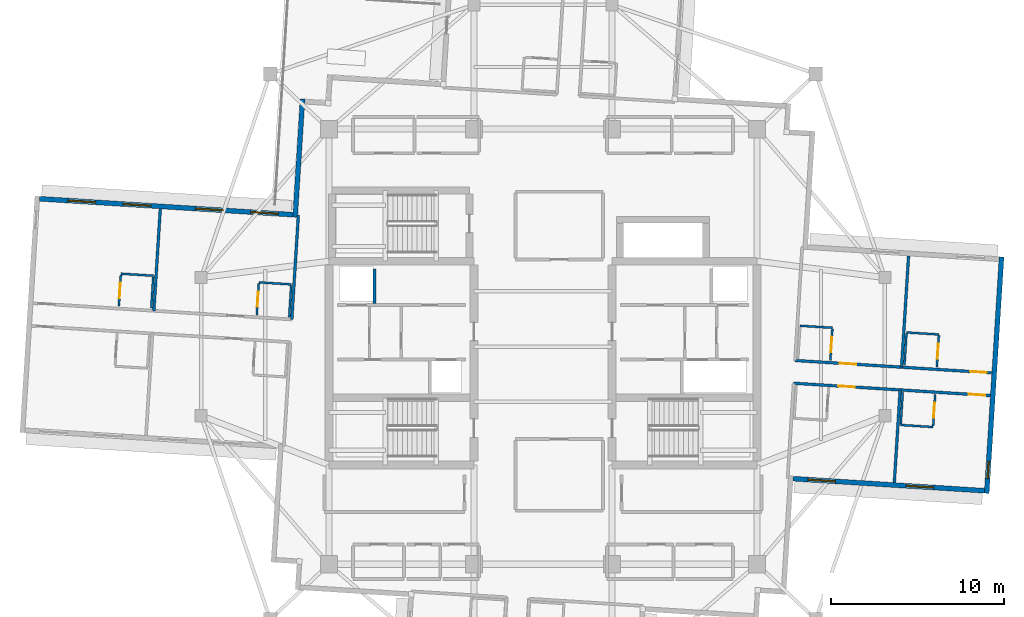
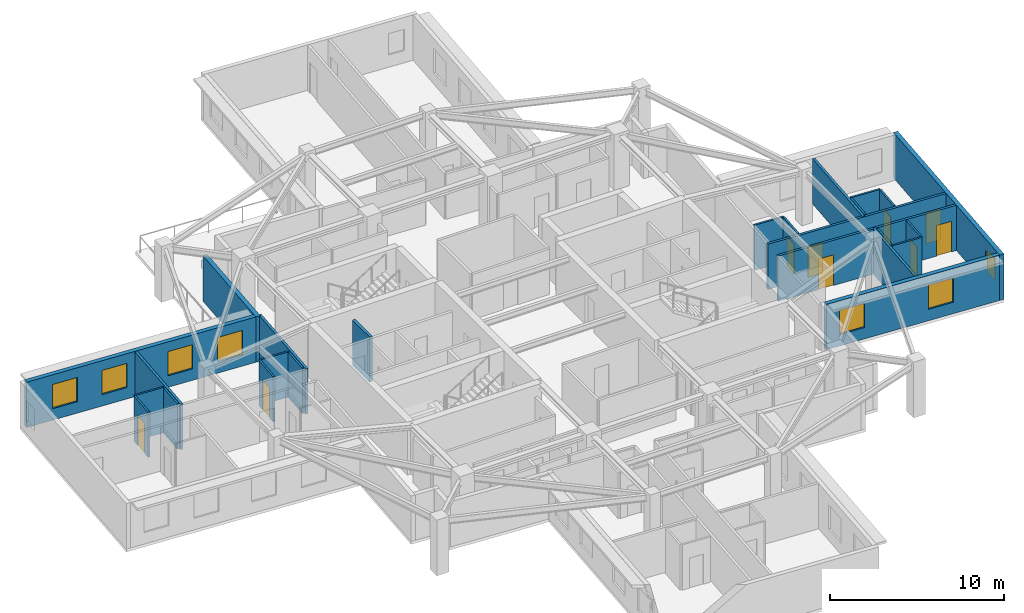
# One storey, part 6 of 12: 25 walls, 9 doors, 7 windows, 16 openings.
"""IFC4 building model written with IfcOpenShell, lengths in metres."""

from ifc_helpers import new_model, si_unit, direction, frame, frame_2d, origin, place, context, subcontext, project, spatial, rectangle, extrude, material, layer, layer_set, type_object, element, fill, save


model = new_model("IFC4")

# Units and contexts
model_context = context("Model", 3, precision=1e-05, world=origin(), true_north=direction((0.0, 1.0)))
body_context = subcontext(model_context, "Body", "Model", "MODEL_VIEW")
ifc_project = project(units=[si_unit("LENGTHUNIT", "METRE"), si_unit("AREAUNIT", "SQUARE_METRE"), si_unit("VOLUMEUNIT", "CUBIC_METRE"), si_unit("PLANEANGLEUNIT", "RADIAN"), si_unit("MASSUNIT", "GRAM", prefix="KILO")], contexts=[model_context])

# Site, building, storey
site_placement = place(None, origin())
site = spatial("IfcSite", under=ifc_project, at=site_placement, CompositionType="ELEMENT")
building_placement = place(site_placement, origin())
building = spatial("IfcBuilding", under=site, at=building_placement, Name="Qingluan Cross Belvedere", CompositionType="ELEMENT")
storey_placement = place(building_placement, frame((0.0, 0.0, 249.89990234375)))
storey = spatial("IfcBuildingStorey", under=building, at=storey_placement, Name="L62", CompositionType="ELEMENT", Elevation=249.89990234375)

# Wall, openings, doors
ifc_material_1 = material(Name="Gypsum plasterboard on steel stud acoustic partition", Category="steel")
ifc_layer_1 = layer(ifc_material_1, 0.159912109375, Name="CorridorPartition_160")
ifc_layer_set_1 = layer_set([ifc_layer_1], Name="Gypsum plasterboard on steel stud acoustic partition")
wall_type_1 = type_object("IfcWallType", Name="CorridorPartition_160", PredefinedType="PARTITIONING", material=ifc_layer_set_1)
wall_1_placement = place(storey_placement, frame((14.5986328125, -0.798095703125, 0.0), z_axis=(0.0, 0.0, 1.0), x_axis=(0.998025515052, -0.062809802628, 0.0)))
wall_1 = element("IfcWall", 1, at=wall_1_placement, inside=storey, type_object=wall_type_1, Name="Partition L62:E:c0", PredefinedType="PARTITIONING", context=body_context, shape_type="SweptSolid", body=[
    extrude(rectangle(XDim=11.412109375, YDim=0.159912109375, at=frame_2d((5.7060546875, 0.0))), origin(), (0.0, 0.0, 1.0), 3.170166015625),
])
opening_1_placement = place(wall_1_placement, frame((2.597900390625, 0.0, 0.0)))
opening_1 = element("IfcOpeningElement", 2, at=opening_1_placement, cuts=wall_1, Name="Opening GD-10", PredefinedType="OPENING", context=body_context, shape_type="SweptSolid", body=[
    extrude(rectangle(XDim=0.9599609375, YDim=2.14990234375, at=frame_2d((0.47998046875, 1.074951171875))), frame((0.0, 0.08984375, 0.0), z_axis=(0.0, -1.0, 0.0), x_axis=(1.0, 0.0, 0.0)), (0.0, 0.0, 1.0), 0.179931640625),
])
opening_2_placement = place(wall_1_placement, frame((10.159912109375, 0.0, 0.0)))
opening_2 = element("IfcOpeningElement", 3, at=opening_2_placement, cuts=wall_1, Name="Opening GD-10", PredefinedType="OPENING", context=body_context, shape_type="SweptSolid", body=[
    extrude(rectangle(XDim=0.9599609375, YDim=2.14990234375, at=frame_2d((0.47998046875, 1.074951171875))), frame((0.0, 0.08984375, 0.0), z_axis=(0.0, -1.0, 0.0), x_axis=(1.0, 0.0, 0.0)), (0.0, 0.0, 1.0), 0.179931640625),
])
ifc_material_2 = material(Name="Timber oak fire-rated acoustic guestroom door", Category="wood")
door_type_1 = type_object("IfcDoorType", Name="GuestEntryDoor_FD60", OperationType="NOTDEFINED", PredefinedType="DOOR", material=ifc_material_2)
door_1_placement = place(opening_1_placement, origin())
door_1 = element("IfcDoor", 4, at=door_1_placement, inside=storey, type_object=door_type_1, Name="Guest entry fire door 6201", OperationType="SINGLE_SWING_LEFT", OverallHeight=2.14990234375, OverallWidth=0.9599609375, PredefinedType="DOOR", context=body_context, shape_type="SweptSolid", body=[
    extrude(rectangle(XDim=0.9599609375, YDim=2.14990234375, at=frame_2d((0.47998046875, 1.074951171875))), frame((0.0, 0.02490234375, 0.0), z_axis=(0.0, -1.0, 0.0), x_axis=(1.0, 0.0, 0.0)), (0.0, 0.0, 1.0), 0.050048828125),
])
fill(opening_1, door_1)
door_2_placement = place(opening_2_placement, origin())
door_2 = element("IfcDoor", 5, at=door_2_placement, inside=storey, type_object=door_type_1, Name="Guest entry fire door 6202", OperationType="SINGLE_SWING_LEFT", OverallHeight=2.14990234375, OverallWidth=0.9599609375, PredefinedType="DOOR", context=body_context, shape_type="SweptSolid", body=[
    extrude(rectangle(XDim=0.9599609375, YDim=2.14990234375, at=frame_2d((0.47998046875, 1.074951171875))), frame((0.0, 0.02490234375, 0.0), z_axis=(0.0, -1.0, 0.0), x_axis=(1.0, 0.0, 0.0)), (0.0, 0.0, 1.0), 0.050048828125),
])
fill(opening_2, door_2)

# Wall
wall_2_placement = place(storey_placement, frame((20.7666015625, -1.186279296875, 0.0), z_axis=(0.0, 0.0, 1.0), x_axis=(0.062776410047, 0.998027616022, 0.0)))
element("IfcWall", 6, at=wall_2_placement, inside=storey, type_object=wall_type_1, Name="Partition L62:E:d0_0", PredefinedType="PARTITIONING", context=body_context, shape_type="SweptSolid", body=[
    extrude(rectangle(XDim=6.451904296875, YDim=0.159912109375, at=frame_2d((3.22607421875, 0.0))), origin(), (0.0, 0.0, 1.0), 3.170166015625),
])

# Wall, openings, doors
wall_3_placement = place(storey_placement, frame((14.515869140625, -2.115478515625, 0.0), z_axis=(0.0, 0.0, 1.0), x_axis=(0.998025430652, -0.062811143692, 0.0)))
wall_3 = element("IfcWall", 7, at=wall_3_placement, inside=storey, type_object=wall_type_1, Name="Partition L62:E:c1", PredefinedType="PARTITIONING", context=body_context, shape_type="SweptSolid", body=[
    extrude(rectangle(XDim=11.411865234375, YDim=0.159912109375, at=frame_2d((5.7060546875, 0.0))), origin(), (0.0, 0.0, 1.0), 3.170166015625),
])
opening_3_placement = place(wall_3_placement, frame((2.597900390625, 0.0, 0.0)))
opening_3 = element("IfcOpeningElement", 8, at=opening_3_placement, cuts=wall_3, Name="Opening GD-10", PredefinedType="OPENING", context=body_context, shape_type="SweptSolid", body=[
    extrude(rectangle(XDim=0.9599609375, YDim=2.14990234375, at=frame_2d((0.47998046875, 1.074951171875))), frame((0.0, 0.08984375, 0.0), z_axis=(0.0, -1.0, 0.0), x_axis=(1.0, 0.0, 0.0)), (0.0, 0.0, 1.0), 0.179931640625),
])
opening_4_placement = place(wall_3_placement, frame((10.159912109375, 0.0, 0.0)))
opening_4 = element("IfcOpeningElement", 9, at=opening_4_placement, cuts=wall_3, Name="Opening GD-10", PredefinedType="OPENING", context=body_context, shape_type="SweptSolid", body=[
    extrude(rectangle(XDim=0.9599609375, YDim=2.14990234375, at=frame_2d((0.47998046875, 1.074951171875))), frame((0.0, 0.08984375, 0.0), z_axis=(0.0, -1.0, 0.0), x_axis=(1.0, 0.0, 0.0)), (0.0, 0.0, 1.0), 0.179931640625),
])
door_3_placement = place(opening_3_placement, origin())
door_3 = element("IfcDoor", 10, at=door_3_placement, inside=storey, type_object=door_type_1, Name="Guest entry fire door 6203", OperationType="SINGLE_SWING_LEFT", OverallHeight=2.14990234375, OverallWidth=0.9599609375, PredefinedType="DOOR", context=body_context, shape_type="SweptSolid", body=[
    extrude(rectangle(XDim=0.9599609375, YDim=2.14990234375, at=frame_2d((0.47998046875, 1.074951171875))), frame((0.0, 0.02490234375, 0.0), z_axis=(0.0, -1.0, 0.0), x_axis=(1.0, 0.0, 0.0)), (0.0, 0.0, 1.0), 0.050048828125),
])
fill(opening_3, door_3)
door_4_placement = place(opening_4_placement, origin())
door_4 = element("IfcDoor", 11, at=door_4_placement, inside=storey, type_object=door_type_1, Name="Guest entry fire door 6204", OperationType="SINGLE_SWING_LEFT", OverallHeight=2.14990234375, OverallWidth=0.9599609375, PredefinedType="DOOR", context=body_context, shape_type="SweptSolid", body=[
    extrude(rectangle(XDim=0.9599609375, YDim=2.14990234375, at=frame_2d((0.47998046875, 1.074951171875))), frame((0.0, 0.02490234375, 0.0), z_axis=(0.0, -1.0, 0.0), x_axis=(1.0, 0.0, 0.0)), (0.0, 0.0, 1.0), 0.050048828125),
])
fill(opening_4, door_4)

# Walls
wall_4_placement = place(storey_placement, frame((20.68359375, -2.503662109375, 0.0), z_axis=(0.0, 0.0, 1.0), x_axis=(-0.062808351004, -0.998025606407, 0.0)))
element("IfcWall", 12, at=wall_4_placement, inside=storey, type_object=wall_type_1, Name="Partition L62:E:d1_0", PredefinedType="PARTITIONING", context=body_context, shape_type="SweptSolid", body=[
    extrude(rectangle(XDim=5.371826171875, YDim=0.159912109375, at=frame_2d((2.68603515625, 0.0))), origin(), (0.0, 0.0, 1.0), 3.170166015625),
])
wall_5_placement = place(storey_placement, frame((-14.5498046875, 1.57666015625, 0.0), z_axis=(0.0, 0.0, 1.0), x_axis=(0.062807170557, 0.998025680695, 0.0)))
element("IfcWall", 13, at=wall_5_placement, inside=storey, type_object=wall_type_1, Name="Partition L62:W:s0", PredefinedType="PARTITIONING", context=body_context, shape_type="SweptSolid", body=[
    extrude(rectangle(XDim=6.06005859375, YDim=0.159912109375, at=frame_2d((3.030029296875, 0.0))), origin(), (0.0, 0.0, 1.0), 3.170166015625),
])
wall_6_placement = place(storey_placement, frame((-22.537841796875, 2.079345703125, 0.0), z_axis=(0.0, 0.0, 1.0), x_axis=(0.062771648594, 0.998027915508, 0.0)))
element("IfcWall", 14, at=wall_6_placement, inside=storey, type_object=wall_type_1, Name="Partition L62:W:d0_0", PredefinedType="PARTITIONING", context=body_context, shape_type="SweptSolid", body=[
    extrude(rectangle(XDim=5.911865234375, YDim=0.159912109375, at=frame_2d((2.9560546875, 0.0))), origin(), (0.0, 0.0, 1.0), 3.170166015625),
])

# Wall, opening, door
ifc_material_3 = material(Name="Moisture-resistant gypsum board lining")
ifc_layer_2 = layer(ifc_material_3, 0.1201171875, Name="EnsuiteWetPartition_120")
ifc_layer_set_2 = layer_set([ifc_layer_2], Name="Moisture-resistant gypsum board lining")
wall_type_2 = type_object("IfcWallType", Name="EnsuiteWetPartition_120", PredefinedType="PARTITIONING", material=ifc_layer_set_2)
wall_7_placement = place(storey_placement, frame((16.6435546875, -0.78662109375, 0.0), z_axis=(0.0, 0.0, 1.0), x_axis=(0.062779145668, 0.998027443946, 0.0)))
wall_7 = element("IfcWall", 15, at=wall_7_placement, inside=storey, type_object=wall_type_2, Name="Partition L62:E:bs0_0", PredefinedType="PARTITIONING", context=body_context, shape_type="SweptSolid", body=[
    extrude(rectangle(XDim=1.820068359375, YDim=0.1201171875, at=frame_2d((0.91015625, 0.0))), origin(), (0.0, 0.0, 1.0), 3.170166015625),
])
opening_5_placement = place(wall_7_placement, frame((0.469970703125, 0.0, 0.0)))
opening_5 = element("IfcOpeningElement", 16, at=opening_5_placement, cuts=wall_7, Name="Opening BD-09", PredefinedType="OPENING", context=body_context, shape_type="SweptSolid", body=[
    extrude(rectangle(XDim=0.8798828125, YDim=2.10009765625, at=frame_2d((0.43994140625, 1.050048828125))), frame((0.0, 0.070068359375, 0.0), z_axis=(0.0, -1.0, 0.0), x_axis=(1.0, 0.0, 0.0)), (0.0, 0.0, 1.0), 0.14013671875),
])
ifc_material_4 = material(Name="Moisture-sealed timber en-suite door", Category="wood")
door_type_2 = type_object("IfcDoorType", Name="BathroomDoor_880", OperationType="NOTDEFINED", PredefinedType="DOOR", material=ifc_material_4)
door_5_placement = place(opening_5_placement, origin())
door_5 = element("IfcDoor", 17, at=door_5_placement, inside=storey, type_object=door_type_2, Name="Bathroom door 6201", OperationType="SINGLE_SWING_RIGHT", OverallHeight=2.10009765625, OverallWidth=0.8798828125, PredefinedType="DOOR", context=body_context, shape_type="SweptSolid", body=[
    extrude(rectangle(XDim=0.8798828125, YDim=2.10009765625, at=frame_2d((0.43994140625, 1.050048828125))), frame((0.0, 0.02490234375, 0.0), z_axis=(0.0, -1.0, 0.0), x_axis=(1.0, 0.0, 0.0)), (0.0, 0.0, 1.0), 0.050048828125),
])
fill(opening_5, door_5)

# Wall
wall_8_placement = place(storey_placement, frame((14.885498046875, 1.212646484375, 0.0), z_axis=(0.0, 0.0, 1.0), x_axis=(0.998030789148, -0.062725942896, 0.0)))
element("IfcWall", 18, at=wall_8_placement, inside=storey, type_object=wall_type_2, Name="Partition L62:E:bn0_0", PredefinedType="PARTITIONING", context=body_context, shape_type="SweptSolid", body=[
    extrude(rectangle(XDim=1.8798828125, YDim=0.1201171875, at=frame_2d((0.93994140625, 0.0))), origin(), (0.0, 0.0, 1.0), 3.170166015625),
])

# Wall, opening, door
wall_9_placement = place(storey_placement, frame((22.811279296875, -1.174560546875, 0.0), z_axis=(0.0, 0.0, 1.0), x_axis=(0.062779145668, 0.998027443946, 0.0)))
wall_9 = element("IfcWall", 19, at=wall_9_placement, inside=storey, type_object=wall_type_2, Name="Partition L62:E:bs0_1", PredefinedType="PARTITIONING", context=body_context, shape_type="SweptSolid", body=[
    extrude(rectangle(XDim=1.820068359375, YDim=0.1201171875, at=frame_2d((0.91015625, 0.0))), origin(), (0.0, 0.0, 1.0), 3.170166015625),
])
opening_6_placement = place(wall_9_placement, frame((0.469970703125, 0.0, 0.0)))
opening_6 = element("IfcOpeningElement", 20, at=opening_6_placement, cuts=wall_9, Name="Opening BD-09", PredefinedType="OPENING", context=body_context, shape_type="SweptSolid", body=[
    extrude(rectangle(XDim=0.8798828125, YDim=2.10009765625, at=frame_2d((0.43994140625, 1.050048828125))), frame((0.0, 0.070068359375, 0.0), z_axis=(0.0, -1.0, 0.0), x_axis=(1.0, 0.0, 0.0)), (0.0, 0.0, 1.0), 0.14013671875),
])
door_6_placement = place(opening_6_placement, origin())
door_6 = element("IfcDoor", 21, at=door_6_placement, inside=storey, type_object=door_type_2, Name="Bathroom door 6202", OperationType="SINGLE_SWING_RIGHT", OverallHeight=2.10009765625, OverallWidth=0.8798828125, PredefinedType="DOOR", context=body_context, shape_type="SweptSolid", body=[
    extrude(rectangle(XDim=0.8798828125, YDim=2.10009765625, at=frame_2d((0.43994140625, 1.050048828125))), frame((0.0, 0.02490234375, 0.0), z_axis=(0.0, -1.0, 0.0), x_axis=(1.0, 0.0, 0.0)), (0.0, 0.0, 1.0), 0.050048828125),
])
fill(opening_6, door_6)

# Walls
wall_10_placement = place(storey_placement, frame((20.93505859375, -1.056640625, 0.0), z_axis=(0.0, 0.0, 1.0), x_axis=(0.062779145668, 0.998027443946, 0.0)))
element("IfcWall", 22, at=wall_10_placement, inside=storey, type_object=wall_type_2, Name="Partition L62:E:bw0_1", PredefinedType="PARTITIONING", context=body_context, shape_type="SweptSolid", body=[
    extrude(rectangle(XDim=1.820068359375, YDim=0.1201171875, at=frame_2d((0.91015625, 0.0))), origin(), (0.0, 0.0, 1.0), 3.170166015625),
])
wall_11_placement = place(storey_placement, frame((21.05322265625, 0.82470703125, 0.0), z_axis=(0.0, 0.0, 1.0), x_axis=(0.998023163794, -0.062847152131, 0.0)))
element("IfcWall", 23, at=wall_11_placement, inside=storey, type_object=wall_type_2, Name="Partition L62:E:bn0_1", PredefinedType="PARTITIONING", context=body_context, shape_type="SweptSolid", body=[
    extrude(rectangle(XDim=1.880126953125, YDim=0.1201171875, at=frame_2d((0.93994140625, 0.0))), origin(), (0.0, 0.0, 1.0), 3.170166015625),
])

# Wall, opening, door
wall_12_placement = place(storey_placement, frame((22.596435546875, -4.587890625, 0.0), z_axis=(0.0, 0.0, 1.0), x_axis=(0.062779145668, 0.998027443946, 0.0)))
wall_12 = element("IfcWall", 24, at=wall_12_placement, inside=storey, type_object=wall_type_2, Name="Partition L62:E:bs1_1", PredefinedType="PARTITIONING", context=body_context, shape_type="SweptSolid", body=[
    extrude(rectangle(XDim=1.820068359375, YDim=0.1201171875, at=frame_2d((0.91015625, 0.0))), origin(), (0.0, 0.0, 1.0), 3.170166015625),
])
opening_7_placement = place(wall_12_placement, frame((0.469970703125, 0.0, 0.0)))
opening_7 = element("IfcOpeningElement", 25, at=opening_7_placement, cuts=wall_12, Name="Opening BD-09", PredefinedType="OPENING", context=body_context, shape_type="SweptSolid", body=[
    extrude(rectangle(XDim=0.8798828125, YDim=2.10009765625, at=frame_2d((0.43994140625, 1.050048828125))), frame((0.0, 0.070068359375, 0.0), z_axis=(0.0, -1.0, 0.0), x_axis=(1.0, 0.0, 0.0)), (0.0, 0.0, 1.0), 0.14013671875),
])
door_7_placement = place(opening_7_placement, origin())
door_7 = element("IfcDoor", 26, at=door_7_placement, inside=storey, type_object=door_type_2, Name="Bathroom door 6204", OperationType="SINGLE_SWING_RIGHT", OverallHeight=2.10009765625, OverallWidth=0.8798828125, PredefinedType="DOOR", context=body_context, shape_type="SweptSolid", body=[
    extrude(rectangle(XDim=0.8798828125, YDim=2.10009765625, at=frame_2d((0.43994140625, 1.050048828125))), frame((0.0, 0.02490234375, 0.0), z_axis=(0.0, -1.0, 0.0), x_axis=(1.0, 0.0, 0.0)), (0.0, 0.0, 1.0), 0.050048828125),
])
fill(opening_7, door_7)

# Walls
wall_13_placement = place(storey_placement, frame((20.72021484375, -4.469970703125, 0.0), z_axis=(0.0, 0.0, 1.0), x_axis=(0.062770741989, 0.998027972529, 0.0)))
element("IfcWall", 27, at=wall_13_placement, inside=storey, type_object=wall_type_2, Name="Partition L62:E:bw1_1", PredefinedType="PARTITIONING", context=body_context, shape_type="SweptSolid", body=[
    extrude(rectangle(XDim=1.8203125, YDim=0.1201171875, at=frame_2d((0.91015625, 0.0))), origin(), (0.0, 0.0, 1.0), 3.170166015625),
])
wall_14_placement = place(storey_placement, frame((20.716064453125, -4.53466796875, 0.0), z_axis=(0.0, 0.0, 1.0), x_axis=(0.998022650819, -0.062855297722, 0.0)))
element("IfcWall", 28, at=wall_14_placement, inside=storey, type_object=wall_type_2, Name="Partition L62:E:bc1_1", PredefinedType="PARTITIONING", context=body_context, shape_type="SweptSolid", body=[
    extrude(rectangle(XDim=1.8798828125, YDim=0.1201171875, at=frame_2d((0.93994140625, 0.0))), origin(), (0.0, 0.0, 1.0), 3.170166015625),
])

# Wall, opening, door
wall_15_placement = place(storey_placement, frame((-16.576904296875, 1.844482421875, 0.0), z_axis=(0.0, 0.0, 1.0), x_axis=(0.062779145668, 0.998027443946, 0.0)))
wall_15 = element("IfcWall", 29, at=wall_15_placement, inside=storey, type_object=wall_type_2, Name="Partition L62:W:bs0_0", PredefinedType="PARTITIONING", context=body_context, shape_type="SweptSolid", body=[
    extrude(rectangle(XDim=1.820068359375, YDim=0.1201171875, at=frame_2d((0.91015625, 0.0))), origin(), (0.0, 0.0, 1.0), 3.170166015625),
])
opening_8_placement = place(wall_15_placement, frame((0.469970703125, 0.0, 0.0)))
opening_8 = element("IfcOpeningElement", 30, at=opening_8_placement, cuts=wall_15, Name="Opening BD-09", PredefinedType="OPENING", context=body_context, shape_type="SweptSolid", body=[
    extrude(rectangle(XDim=0.8798828125, YDim=2.10009765625, at=frame_2d((0.43994140625, 1.050048828125))), frame((0.0, 0.070068359375, 0.0), z_axis=(0.0, -1.0, 0.0), x_axis=(1.0, 0.0, 0.0)), (0.0, 0.0, 1.0), 0.14013671875),
])
door_8_placement = place(opening_8_placement, origin())
door_8 = element("IfcDoor", 31, at=door_8_placement, inside=storey, type_object=door_type_2, Name="Bathroom door 6205", OperationType="SINGLE_SWING_RIGHT", OverallHeight=2.10009765625, OverallWidth=0.8798828125, PredefinedType="DOOR", context=body_context, shape_type="SweptSolid", body=[
    extrude(rectangle(XDim=0.8798828125, YDim=2.10009765625, at=frame_2d((0.43994140625, 1.050048828125))), frame((0.0, 0.02490234375, 0.0), z_axis=(0.0, -1.0, 0.0), x_axis=(1.0, 0.0, 0.0)), (0.0, 0.0, 1.0), 0.050048828125),
])
fill(opening_8, door_8)

# Walls
wall_16_placement = place(storey_placement, frame((-14.70068359375, 1.7265625, 0.0), z_axis=(0.0, 0.0, 1.0), x_axis=(0.062912758763, 0.998019030272, 0.0)))
element("IfcWall", 32, at=wall_16_placement, inside=storey, type_object=wall_type_2, Name="Partition L62:W:bw0_0", PredefinedType="PARTITIONING", context=body_context, shape_type="SweptSolid", body=[
    extrude(rectangle(XDim=1.820068359375, YDim=0.1201171875, at=frame_2d((0.91015625, 0.0))), origin(), (0.0, 0.0, 1.0), 3.170166015625),
])
wall_17_placement = place(storey_placement, frame((-14.582275390625, 3.607666015625, 0.0), z_axis=(0.0, 0.0, 1.0), x_axis=(-0.998022650819, 0.062855297722, 0.0)))
element("IfcWall", 33, at=wall_17_placement, inside=storey, type_object=wall_type_2, Name="Partition L62:W:bn0_0", PredefinedType="PARTITIONING", context=body_context, shape_type="SweptSolid", body=[
    extrude(rectangle(XDim=1.8798828125, YDim=0.1201171875, at=frame_2d((0.93994140625, 0.0))), origin(), (0.0, 0.0, 1.0), 3.170166015625),
])

# Wall, opening, door
wall_18_placement = place(storey_placement, frame((-24.565185546875, 2.34716796875, 0.0), z_axis=(0.0, 0.0, 1.0), x_axis=(0.062912758763, 0.998019030272, 0.0)))
wall_18 = element("IfcWall", 34, at=wall_18_placement, inside=storey, type_object=wall_type_2, Name="Partition L62:W:bs0_1", PredefinedType="PARTITIONING", context=body_context, shape_type="SweptSolid", body=[
    extrude(rectangle(XDim=1.820068359375, YDim=0.1201171875, at=frame_2d((0.91015625, 0.0))), origin(), (0.0, 0.0, 1.0), 3.170166015625),
])
opening_9_placement = place(wall_18_placement, frame((0.469970703125, 0.0, 0.0)))
opening_9 = element("IfcOpeningElement", 35, at=opening_9_placement, cuts=wall_18, Name="Opening BD-09", PredefinedType="OPENING", context=body_context, shape_type="SweptSolid", body=[
    extrude(rectangle(XDim=0.8798828125, YDim=2.10009765625, at=frame_2d((0.43994140625, 1.050048828125))), frame((0.0, 0.070068359375, 0.0), z_axis=(0.0, -1.0, 0.0), x_axis=(1.0, 0.0, 0.0)), (0.0, 0.0, 1.0), 0.14013671875),
])
door_9_placement = place(opening_9_placement, origin())
door_9 = element("IfcDoor", 36, at=door_9_placement, inside=storey, type_object=door_type_2, Name="Bathroom door 6206", OperationType="SINGLE_SWING_RIGHT", OverallHeight=2.10009765625, OverallWidth=0.8798828125, PredefinedType="DOOR", context=body_context, shape_type="SweptSolid", body=[
    extrude(rectangle(XDim=0.8798828125, YDim=2.10009765625, at=frame_2d((0.43994140625, 1.050048828125))), frame((0.0, 0.02490234375, 0.0), z_axis=(0.0, -1.0, 0.0), x_axis=(1.0, 0.0, 0.0)), (0.0, 0.0, 1.0), 0.050048828125),
])
fill(opening_9, door_9)

# Walls
wall_19_placement = place(storey_placement, frame((-22.688720703125, 2.22900390625, 0.0), z_axis=(0.0, 0.0, 1.0), x_axis=(0.062779145668, 0.998027443946, 0.0)))
element("IfcWall", 37, at=wall_19_placement, inside=storey, type_object=wall_type_2, Name="Partition L62:W:bw0_1", PredefinedType="PARTITIONING", context=body_context, shape_type="SweptSolid", body=[
    extrude(rectangle(XDim=1.820068359375, YDim=0.1201171875, at=frame_2d((0.91015625, 0.0))), origin(), (0.0, 0.0, 1.0), 3.170166015625),
])
wall_20_placement = place(storey_placement, frame((-22.5703125, 4.1103515625, 0.0), z_axis=(0.0, 0.0, 1.0), x_axis=(-0.998023163794, 0.062847152131, 0.0)))
element("IfcWall", 38, at=wall_20_placement, inside=storey, type_object=wall_type_2, Name="Partition L62:W:bn0_1", PredefinedType="PARTITIONING", context=body_context, shape_type="SweptSolid", body=[
    extrude(rectangle(XDim=1.880126953125, YDim=0.1201171875, at=frame_2d((0.93994140625, 0.0))), origin(), (0.0, 0.0, 1.0), 3.170166015625),
])

# Wall, openings, windows
ifc_material_5 = material(Name="Precast concrete C45", Category="concrete")
ifc_layer_3 = layer(ifc_material_5, 0.280029296875, Name="PrecastFacadeWall_280")
ifc_layer_set_3 = layer_set([ifc_layer_3], Name="Precast concrete C45")
wall_type_3 = type_object("IfcWallType", Name="PrecastFacadeWall_280", PredefinedType="STANDARD", material=ifc_layer_set_3)
wall_21_placement = place(storey_placement, frame((14.488525390625, -7.644775390625, 0.0), z_axis=(0.0, 0.0, 1.0), x_axis=(0.998026474727, -0.062794551863, 0.0)))
wall_21 = element("IfcWall", 39, at=wall_21_placement, inside=storey, type_object=wall_type_3, Name="Facade wall L62-EA", PredefinedType="STANDARD", context=body_context, shape_type="SweptSolid", body=[
    extrude(rectangle(XDim=11.10009765625, YDim=0.280029296875, at=frame_2d((5.550048828125, 0.0))), origin(), (0.0, 0.0, 1.0), 3.18017578125),
])
opening_10_placement = place(wall_21_placement, frame((0.85009765625, 0.0, 0.800048828125)))
opening_10 = element("IfcOpeningElement", 40, at=opening_10_placement, cuts=wall_21, Name="Opening W-04", PredefinedType="OPENING", context=body_context, shape_type="SweptSolid", body=[
    extrude(rectangle(XDim=1.60009765625, YDim=1.699951171875, at=frame_2d((0.800048828125, 0.85009765625))), frame((0.0, 0.14990234375, 0.0), z_axis=(0.0, -1.0, 0.0), x_axis=(1.0, 0.0, 0.0)), (0.0, 0.0, 1.0), 0.300048828125),
])
opening_11_placement = place(wall_21_placement, frame((6.550048828125, 0.0, 0.800048828125)))
opening_11 = element("IfcOpeningElement", 41, at=opening_11_placement, cuts=wall_21, Name="Opening W-04", PredefinedType="OPENING", context=body_context, shape_type="SweptSolid", body=[
    extrude(rectangle(XDim=1.60009765625, YDim=1.699951171875, at=frame_2d((0.800048828125, 0.85009765625))), frame((0.0, 0.14990234375, 0.0), z_axis=(0.0, -1.0, 0.0), x_axis=(1.0, 0.0, 0.0)), (0.0, 0.0, 1.0), 0.300048828125),
])
ifc_material_6 = material(Name="Thermally broken triple Low-E glass in aluminium frame", Category="aluminium")
window_type_1 = type_object("IfcWindowType", Name="SuiteCornerWin_1600x1700", PartitioningType="SINGLE_PANEL", PredefinedType="WINDOW", material=ifc_material_6)
window_1_placement = place(opening_10_placement, origin())
window_1 = element("IfcWindow", 42, at=window_1_placement, inside=storey, type_object=window_type_1, Name="Ribbon window L62-EA-1", OverallHeight=1.699951171875, OverallWidth=1.60009765625, PartitioningType="SINGLE_PANEL", PredefinedType="WINDOW", context=body_context, shape_type="SweptSolid", body=[
    extrude(rectangle(XDim=1.60009765625, YDim=1.699951171875, at=frame_2d((0.800048828125, 0.85009765625))), frame((0.0, 0.030029296875, 0.0), z_axis=(0.0, -1.0, 0.0), x_axis=(1.0, 0.0, 0.0)), (0.0, 0.0, 1.0), 0.06005859375),
])
fill(opening_10, window_1)
window_2_placement = place(opening_11_placement, origin())
window_2 = element("IfcWindow", 43, at=window_2_placement, inside=storey, type_object=window_type_1, Name="Ribbon window L62-EA-2", OverallHeight=1.699951171875, OverallWidth=1.60009765625, PartitioningType="SINGLE_PANEL", PredefinedType="WINDOW", context=body_context, shape_type="SweptSolid", body=[
    extrude(rectangle(XDim=1.60009765625, YDim=1.699951171875, at=frame_2d((0.800048828125, 0.85009765625))), frame((0.0, 0.030029296875, 0.0), z_axis=(0.0, -1.0, 0.0), x_axis=(1.0, 0.0, 0.0)), (0.0, 0.0, 1.0), 0.06005859375),
])
fill(opening_11, window_2)

# Wall, opening, window
wall_22_placement = place(storey_placement, frame((25.697509765625, -8.490234375, 0.0), z_axis=(0.0, 0.0, 1.0), x_axis=(0.062797041623, 0.998026318072, 0.0)))
wall_22 = element("IfcWall", 44, at=wall_22_placement, inside=storey, type_object=wall_type_3, Name="Arm tip precast facade wall L62-E", PredefinedType="STANDARD", context=body_context, shape_type="SweptSolid", body=[
    extrude(rectangle(XDim=13.719970703125, YDim=0.280029296875, at=frame_2d((6.85986328125, 0.0))), origin(), (0.0, 0.0, 1.0), 3.18017578125),
])
opening_12_placement = place(wall_22_placement, frame((0.85009765625, 0.0, 0.85009765625)))
opening_12 = element("IfcOpeningElement", 45, at=opening_12_placement, cuts=wall_22, Name="Opening W-03", PredefinedType="OPENING", context=body_context, shape_type="SweptSolid", body=[
    extrude(rectangle(XDim=1.0, YDim=1.5, at=frame_2d((0.5, 0.75))), frame((0.0, 0.14990234375, 0.0), z_axis=(0.0, -1.0, 0.0), x_axis=(1.0, 0.0, 0.0)), (0.0, 0.0, 1.0), 0.300048828125),
])
ifc_material_7 = material(Name="Thermally broken triple Low-E glass in aluminium frame", Category="aluminium")
window_type_2 = type_object("IfcWindowType", Name="TriApexWin_1000x1500", PartitioningType="SINGLE_PANEL", PredefinedType="WINDOW", material=ifc_material_7)
window_3_placement = place(opening_12_placement, origin())
window_3 = element("IfcWindow", 46, at=window_3_placement, inside=storey, type_object=window_type_2, Name="Arm tip triangular window L62-E", OverallHeight=1.5, OverallWidth=1.0, PartitioningType="SINGLE_PANEL", PredefinedType="WINDOW", context=body_context, shape_type="SweptSolid", body=[
    extrude(rectangle(XDim=1.0, YDim=1.5, at=frame_2d((0.5, 0.75))), frame((0.0, 0.030029296875, 0.0), z_axis=(0.0, -1.0, 0.0), x_axis=(1.0, 0.0, 0.0)), (0.0, 0.0, 1.0), 0.06005859375),
])
fill(opening_12, window_3)

# Wall, openings, windows
wall_23_placement = place(storey_placement, frame((-14.488525390625, 7.644775390625, 0.0), z_axis=(0.0, 0.0, 1.0), x_axis=(-0.998026448555, 0.062794967833, 0.0)))
wall_23 = element("IfcWall", 47, at=wall_23_placement, inside=storey, type_object=wall_type_3, Name="Facade wall L62-WA", PredefinedType="STANDARD", context=body_context, shape_type="SweptSolid", body=[
    extrude(rectangle(XDim=14.7001953125, YDim=0.280029296875, at=frame_2d((7.35009765625, 0.0))), origin(), (0.0, 0.0, 1.0), 3.18017578125),
])
opening_13_placement = place(wall_23_placement, frame((0.85009765625, 0.0, 0.800048828125)))
opening_13 = element("IfcOpeningElement", 48, at=opening_13_placement, cuts=wall_23, Name="Opening W-04", PredefinedType="OPENING", context=body_context, shape_type="SweptSolid", body=[
    extrude(rectangle(XDim=1.60009765625, YDim=1.699951171875, at=frame_2d((0.800048828125, 0.85009765625))), frame((0.0, 0.14990234375, 0.0), z_axis=(0.0, -1.0, 0.0), x_axis=(1.0, 0.0, 0.0)), (0.0, 0.0, 1.0), 0.300048828125),
])
opening_14_placement = place(wall_23_placement, frame((4.050048828125, 0.0, 0.800048828125)))
opening_14 = element("IfcOpeningElement", 49, at=opening_14_placement, cuts=wall_23, Name="Opening W-04", PredefinedType="OPENING", context=body_context, shape_type="SweptSolid", body=[
    extrude(rectangle(XDim=1.60009765625, YDim=1.699951171875, at=frame_2d((0.800048828125, 0.85009765625))), frame((0.0, 0.14990234375, 0.0), z_axis=(0.0, -1.0, 0.0), x_axis=(1.0, 0.0, 0.0)), (0.0, 0.0, 1.0), 0.300048828125),
])
opening_15_placement = place(wall_23_placement, frame((8.25, 0.0, 0.800048828125)))
opening_15 = element("IfcOpeningElement", 50, at=opening_15_placement, cuts=wall_23, Name="Opening W-04", PredefinedType="OPENING", context=body_context, shape_type="SweptSolid", body=[
    extrude(rectangle(XDim=1.60009765625, YDim=1.699951171875, at=frame_2d((0.800048828125, 0.85009765625))), frame((0.0, 0.14990234375, 0.0), z_axis=(0.0, -1.0, 0.0), x_axis=(1.0, 0.0, 0.0)), (0.0, 0.0, 1.0), 0.300048828125),
])
opening_16_placement = place(wall_23_placement, frame((11.449951171875, 0.0, 0.800048828125)))
opening_16 = element("IfcOpeningElement", 51, at=opening_16_placement, cuts=wall_23, Name="Opening W-04", PredefinedType="OPENING", context=body_context, shape_type="SweptSolid", body=[
    extrude(rectangle(XDim=1.60009765625, YDim=1.699951171875, at=frame_2d((0.800048828125, 0.85009765625))), frame((0.0, 0.14990234375, 0.0), z_axis=(0.0, -1.0, 0.0), x_axis=(1.0, 0.0, 0.0)), (0.0, 0.0, 1.0), 0.300048828125),
])
window_4_placement = place(opening_13_placement, origin())
window_4 = element("IfcWindow", 52, at=window_4_placement, inside=storey, type_object=window_type_1, Name="Ribbon window L62-WA-1", OverallHeight=1.699951171875, OverallWidth=1.60009765625, PartitioningType="SINGLE_PANEL", PredefinedType="WINDOW", context=body_context, shape_type="SweptSolid", body=[
    extrude(rectangle(XDim=1.60009765625, YDim=1.699951171875, at=frame_2d((0.800048828125, 0.85009765625))), frame((0.0, 0.030029296875, 0.0), z_axis=(0.0, -1.0, 0.0), x_axis=(1.0, 0.0, 0.0)), (0.0, 0.0, 1.0), 0.06005859375),
])
fill(opening_13, window_4)
window_5_placement = place(opening_14_placement, origin())
window_5 = element("IfcWindow", 53, at=window_5_placement, inside=storey, type_object=window_type_1, Name="Ribbon window L62-WA-2", OverallHeight=1.699951171875, OverallWidth=1.60009765625, PartitioningType="SINGLE_PANEL", PredefinedType="WINDOW", context=body_context, shape_type="SweptSolid", body=[
    extrude(rectangle(XDim=1.60009765625, YDim=1.699951171875, at=frame_2d((0.800048828125, 0.85009765625))), frame((0.0, 0.030029296875, 0.0), z_axis=(0.0, -1.0, 0.0), x_axis=(1.0, 0.0, 0.0)), (0.0, 0.0, 1.0), 0.06005859375),
])
fill(opening_14, window_5)
window_6_placement = place(opening_15_placement, origin())
window_6 = element("IfcWindow", 54, at=window_6_placement, inside=storey, type_object=window_type_1, Name="Ribbon window L62-WA-3", OverallHeight=1.699951171875, OverallWidth=1.60009765625, PartitioningType="SINGLE_PANEL", PredefinedType="WINDOW", context=body_context, shape_type="SweptSolid", body=[
    extrude(rectangle(XDim=1.60009765625, YDim=1.699951171875, at=frame_2d((0.800048828125, 0.85009765625))), frame((0.0, 0.030029296875, 0.0), z_axis=(0.0, -1.0, 0.0), x_axis=(1.0, 0.0, 0.0)), (0.0, 0.0, 1.0), 0.06005859375),
])
fill(opening_15, window_6)
window_7_placement = place(opening_16_placement, origin())
window_7 = element("IfcWindow", 55, at=window_7_placement, inside=storey, type_object=window_type_1, Name="Ribbon window L62-WA-4", OverallHeight=1.699951171875, OverallWidth=1.60009765625, PartitioningType="SINGLE_PANEL", PredefinedType="WINDOW", context=body_context, shape_type="SweptSolid", body=[
    extrude(rectangle(XDim=1.60009765625, YDim=1.699951171875, at=frame_2d((0.800048828125, 0.85009765625))), frame((0.0, 0.030029296875, 0.0), z_axis=(0.0, -1.0, 0.0), x_axis=(1.0, 0.0, 0.0)), (0.0, 0.0, 1.0), 0.06005859375),
])
fill(opening_16, window_7)

# Walls
wall_24_placement = place(storey_placement, frame((-14.357666015625, 7.496337890625, 0.0), z_axis=(0.0, 0.0, 1.0), x_axis=(0.062779317195, 0.998027433156, 0.0)))
element("IfcWall", 56, at=wall_24_placement, inside=storey, type_object=wall_type_3, Name="Corner wall L62-NW1", PredefinedType="STANDARD", context=body_context, shape_type="SweptSolid", body=[
    extrude(rectangle(XDim=6.85986328125, YDim=0.280029296875, at=frame_2d((3.429931640625, 0.0))), origin(), (0.0, 0.0, 1.0), 3.18017578125),
])
ifc_material_8 = material(Name="Concrete C40", Category="concrete")
ifc_layer_4 = layer(ifc_material_8, 0.219970703125, Name="ShaftEnclosureWall_250")
ifc_layer_set_4 = layer_set([ifc_layer_4], Name="Concrete C40")
wall_type_4 = type_object("IfcWallType", Name="ShaftEnclosureWall_250", PredefinedType="SOLIDWALL", material=ifc_layer_set_4)
wall_25_placement = place(storey_placement, frame((-9.760009765625, 2.5, 0.0), z_axis=(0.0, 0.0, 1.0), x_axis=(0.0, 1.0, 0.0)))
element("IfcWall", 57, at=wall_25_placement, inside=storey, type_object=wall_type_4, Name="Hoistway enclosure divider FL1E L62", PredefinedType="SOLIDWALL", context=body_context, shape_type="SweptSolid", body=[
    extrude(rectangle(XDim=1.989990234375, YDim=0.179931640625, at=frame_2d((0.9951171875, 0.0))), origin(), (0.0, 0.0, 1.0), 3.170166015625),
])

save(model, "model.ifc")
